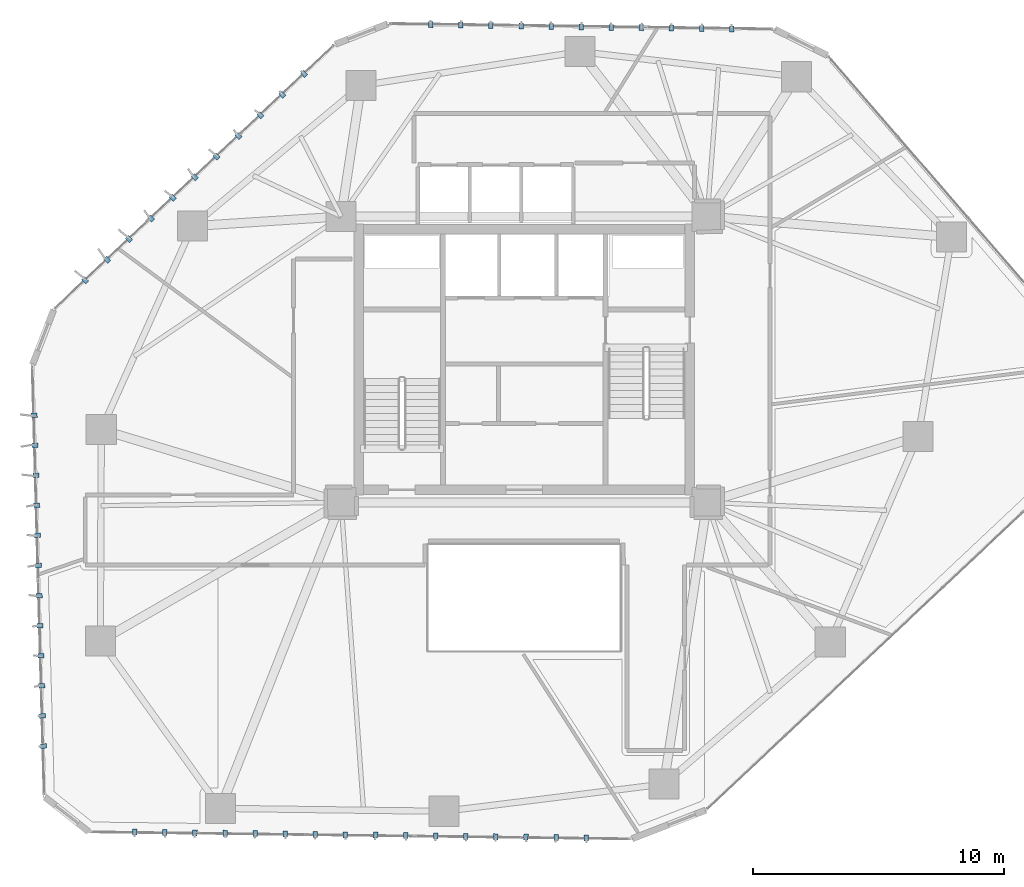
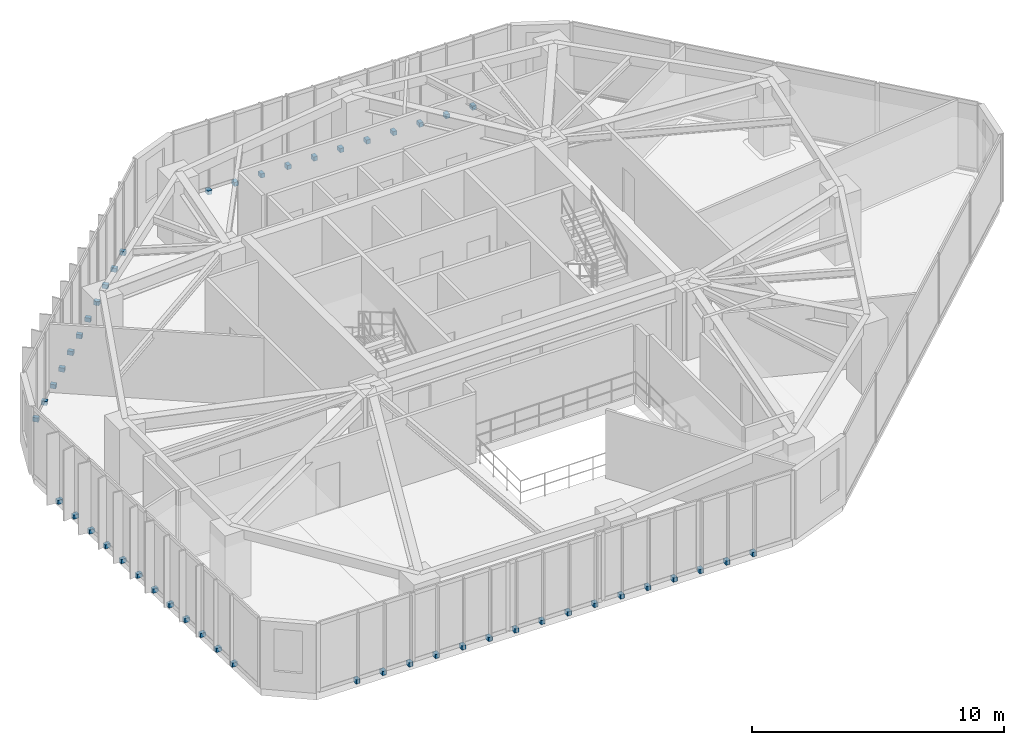
# One storey, part 20 of 22: 50 discrete accessories.
"""IFC4 building model written with IfcOpenShell, lengths in metres."""

from ifc_helpers import new_model, si_unit, direction, frame, origin, origin_2d, place, context, subcontext, project, spatial, rectangle, extrude, source, transform, mapped, material, type_object, type_shapes, element, save


model = new_model("IFC4")

# Units and contexts
model_context = context("Model", 3, precision=1e-05, world=origin(), true_north=direction((0.0, 1.0)))
body_context = subcontext(model_context, "Body", "Model", "MODEL_VIEW")
ifc_project = project(units=[si_unit("LENGTHUNIT", "METRE"), si_unit("AREAUNIT", "SQUARE_METRE"), si_unit("VOLUMEUNIT", "CUBIC_METRE"), si_unit("PLANEANGLEUNIT", "RADIAN"), si_unit("MASSUNIT", "GRAM", prefix="KILO")], contexts=[model_context])

# Site, building, storey
site_placement = place(None, origin())
site = spatial("IfcSite", under=ifc_project, at=site_placement, CompositionType="ELEMENT")
building_placement = place(site_placement, origin())
building = spatial("IfcBuilding", under=site, at=building_placement, Name="Talar Marvaseh", CompositionType="ELEMENT")
storey_placement = place(building_placement, frame((0.0, 0.0, 89.39990234375)))
storey = spatial("IfcBuildingStorey", under=building, at=storey_placement, Name="L22", CompositionType="ELEMENT", Elevation=89.39990234375)

# Discrete accessories
ifc_material = material(Name="Stainless Steel Grade 316", Category="steel")
discrete_accessory_type = type_object("IfcDiscreteAccessoryType", Name="Stainless Slab-Edge Fin Mounting Bracket", PredefinedType="BRACKET", material=ifc_material)
shared_shape = source(origin(), body_context, "Body", "SweptSolid", [
    extrude(rectangle(XDim=0.239990234375, YDim=0.179931640625, at=origin_2d()), origin(), (0.0, 0.0, 1.0), 0.199951171875),
])
type_shapes(discrete_accessory_type, [shared_shape])
for number, where, z_axis, x_axis, name in (
    (1, (6.831298828125, 15.784912109375, -0.1796875), (0.0, 0.0, 1.0), (-0.99961011504, -0.027921638724, 0.0), "L22 Vertical Fin Slab-Edge Bracket"),
    (2, (6.798095703125, 16.984375, -0.1796875), (0.0, 0.0, 1.0), (-0.99961011504, -0.027921638724, 0.0), "L22 Vertical Fin Slab-Edge Bracket"),
    (3, (6.7646484375, 18.183837890625, -0.1796875), (0.0, 0.0, 1.0), (-0.99961011504, -0.027921638724, 0.0), "L22 Vertical Fin Slab-Edge Bracket"),
    (4, (6.731201171875, 19.38330078125, -0.1796875), (0.0, 0.0, 1.0), (-0.99961011504, -0.027921638724, 0.0), "L22 Vertical Fin Slab-Edge Bracket"),
    (5, (6.69775390625, 20.5830078125, -0.1796875), (0.0, 0.0, 1.0), (-0.99961011504, -0.027921638724, 0.0), "L22 Vertical Fin Slab-Edge Bracket"),
    (6, (6.664306640625, 21.782470703125, -0.1796875), (0.0, 0.0, 1.0), (-0.99961011504, -0.027921638724, 0.0), "L22 Vertical Fin Slab-Edge Bracket"),
    (7, (6.630859375, 22.98193359375, -0.1796875), (0.0, 0.0, 1.0), (-0.99961011504, -0.027921638724, 0.0), "L22 Vertical Fin Slab-Edge Bracket"),
    (8, (6.597412109375, 24.181396484375, -0.1796875), (0.0, 0.0, 1.0), (-0.99961011504, -0.027921638724, 0.0), "L22 Vertical Fin Slab-Edge Bracket"),
    (9, (6.56396484375, 25.381103515625, -0.1796875), (0.0, 0.0, 1.0), (-0.99961011504, -0.027921638724, 0.0), "L22 Vertical Fin Slab-Edge Bracket"),
    (10, (6.530517578125, 26.58056640625, -0.1796875), (0.0, 0.0, 1.0), (-0.99961011504, -0.027921638724, 0.0), "L22 Vertical Fin Slab-Edge Bracket"),
    (11, (6.4970703125, 27.780029296875, -0.1796875), (0.0, 0.0, 1.0), (-0.99961011504, -0.027921638724, 0.0), "L22 Vertical Fin Slab-Edge Bracket"),
    (12, (6.463623046875, 28.979736328125, -0.1796875), (0.0, 0.0, 1.0), (-0.99961011504, -0.027921638724, 0.0), "L22 Vertical Fin Slab-Edge Bracket"),
    (13, (8.49755859375, 34.351318359375, -0.1796875), (0.0, 0.0, 1.0), (-0.686072351756, 0.727533317557, 0.0), "L22 Vertical Fin Slab-Edge Bracket"),
    (14, (9.37060546875, 35.174560546875, -0.1796875), (0.0, 0.0, 1.0), (-0.686072351756, 0.727533317557, 0.0), "L22 Vertical Fin Slab-Edge Bracket"),
    (15, (10.24365234375, 35.997802734375, -0.1796875), (0.0, 0.0, 1.0), (-0.686072351756, 0.727533317557, 0.0), "L22 Vertical Fin Slab-Edge Bracket"),
    (16, (11.11669921875, 36.821044921875, -0.1796875), (0.0, 0.0, 1.0), (-0.686072351756, 0.727533317557, 0.0), "L22 Vertical Fin Slab-Edge Bracket"),
    (17, (11.98974609375, 37.644287109375, -0.1796875), (0.0, 0.0, 1.0), (-0.686072351756, 0.727533317557, 0.0), "L22 Vertical Fin Slab-Edge Bracket"),
    (18, (12.86279296875, 38.467529296875, -0.1796875), (0.0, 0.0, 1.0), (-0.686072351756, 0.727533317557, 0.0), "L22 Vertical Fin Slab-Edge Bracket"),
    (19, (13.73583984375, 39.290771484375, -0.1796875), (0.0, 0.0, 1.0), (-0.686072351756, 0.727533317557, 0.0), "L22 Vertical Fin Slab-Edge Bracket"),
    (20, (14.60888671875, 40.114013671875, -0.1796875), (0.0, 0.0, 1.0), (-0.686072351756, 0.727533317557, 0.0), "L22 Vertical Fin Slab-Edge Bracket"),
    (21, (15.482177734375, 40.937255859375, -0.1796875), (0.0, 0.0, 1.0), (-0.686072351756, 0.727533317557, 0.0), "L22 Vertical Fin Slab-Edge Bracket"),
    (22, (16.35498046875, 41.760498046875, -0.1796875), (0.0, 0.0, 1.0), (-0.686072351756, 0.727533317557, 0.0), "L22 Vertical Fin Slab-Edge Bracket"),
    (23, (17.228271484375, 42.583740234375, -0.1796875), (0.0, 0.0, 1.0), (-0.686072351756, 0.727533317557, 0.0), "L22 Vertical Fin Slab-Edge Bracket"),
    (24, (22.27685546875, 44.547119140625, -0.1796875), (0.0, 0.0, 1.0), (0.014311211306, 0.999897589372, 0.0), "L22 Vertical Fin Slab-Edge Bracket"),
    (25, (23.476806640625, 44.530029296875, -0.1796875), (0.0, 0.0, 1.0), (0.014311211306, 0.999897589372, 0.0), "L22 Vertical Fin Slab-Edge Bracket"),
    (26, (24.676513671875, 44.5126953125, -0.1796875), (0.0, 0.0, 1.0), (0.014311211306, 0.999897589372, 0.0), "L22 Vertical Fin Slab-Edge Bracket"),
    (27, (25.87646484375, 44.49560546875, -0.1796875), (0.0, 0.0, 1.0), (0.014311211306, 0.999897589372, 0.0), "L22 Vertical Fin Slab-Edge Bracket"),
    (28, (27.076416015625, 44.478515625, -0.1796875), (0.0, 0.0, 1.0), (0.014311211306, 0.999897589372, 0.0), "L22 Vertical Fin Slab-Edge Bracket"),
    (29, (28.276123046875, 44.46142578125, -0.1796875), (0.0, 0.0, 1.0), (0.014311211306, 0.999897589372, 0.0), "L22 Vertical Fin Slab-Edge Bracket"),
    (30, (29.47607421875, 44.4443359375, -0.1796875), (0.0, 0.0, 1.0), (0.014311211306, 0.999897589372, 0.0), "L22 Vertical Fin Slab-Edge Bracket"),
    (31, (30.67578125, 44.42724609375, -0.1796875), (0.0, 0.0, 1.0), (0.014311211306, 0.999897589372, 0.0), "L22 Vertical Fin Slab-Edge Bracket"),
    (32, (31.875732421875, 44.41015625, -0.1796875), (0.0, 0.0, 1.0), (0.014311211306, 0.999897589372, 0.0), "L22 Vertical Fin Slab-Edge Bracket"),
    (33, (33.07568359375, 44.392822265625, -0.1796875), (0.0, 0.0, 1.0), (0.014311211306, 0.999897589372, 0.0), "L22 Vertical Fin Slab-Edge Bracket"),
    (34, (34.275634765625, 44.375732421875, -0.1796875), (0.0, 0.0, 1.0), (0.014311211306, 0.999897589372, 0.0), "L22 Vertical Fin Slab-Edge Bracket"),
    (35, (28.47265625, 12.1201171875, -0.1796875), (0.0, 0.0, 1.0), (-0.0129150774, -0.99991659691, 0.0), "L22 Vertical Fin Slab-Edge Bracket"),
    (36, (27.272705078125, 12.135498046875, -0.1796875), (0.0, 0.0, 1.0), (-0.0129150774, -0.99991659691, 0.0), "L22 Vertical Fin Slab-Edge Bracket"),
    (37, (26.07275390625, 12.151123046875, -0.1796875), (0.0, 0.0, 1.0), (-0.0129150774, -0.99991659691, 0.0), "L22 Vertical Fin Slab-Edge Bracket"),
    (38, (24.872802734375, 12.166748046875, -0.1796875), (0.0, 0.0, 1.0), (-0.0129150774, -0.99991659691, 0.0), "L22 Vertical Fin Slab-Edge Bracket"),
    (39, (23.673095703125, 12.18212890625, -0.1796875), (0.0, 0.0, 1.0), (-0.0129150774, -0.99991659691, 0.0), "L22 Vertical Fin Slab-Edge Bracket"),
    (40, (22.47314453125, 12.19775390625, -0.1796875), (0.0, 0.0, 1.0), (-0.0129150774, -0.99991659691, 0.0), "L22 Vertical Fin Slab-Edge Bracket"),
    (41, (21.273193359375, 12.213134765625, -0.1796875), (0.0, 0.0, 1.0), (-0.0129150774, -0.99991659691, 0.0), "L22 Vertical Fin Slab-Edge Bracket"),
    (42, (20.0732421875, 12.228759765625, -0.1796875), (0.0, 0.0, 1.0), (-0.0129150774, -0.99991659691, 0.0), "L22 Vertical Fin Slab-Edge Bracket"),
    (43, (18.873291015625, 12.244384765625, -0.1796875), (0.0, 0.0, 1.0), (-0.0129150774, -0.99991659691, 0.0), "L22 Vertical Fin Slab-Edge Bracket"),
    (44, (17.673583984375, 12.259765625, -0.1796875), (0.0, 0.0, 1.0), (-0.0129150774, -0.99991659691, 0.0), "L22 Vertical Fin Slab-Edge Bracket"),
    (45, (16.4736328125, 12.275390625, -0.1796875), (0.0, 0.0, 1.0), (-0.0129150774, -0.99991659691, 0.0), "L22 Vertical Fin Slab-Edge Bracket"),
    (46, (15.273681640625, 12.290771484375, -0.1796875), (0.0, 0.0, 1.0), (-0.0129150774, -0.99991659691, 0.0), "L22 Vertical Fin Slab-Edge Bracket"),
    (47, (14.07373046875, 12.306396484375, -0.1796875), (0.0, 0.0, 1.0), (-0.0129150774, -0.99991659691, 0.0), "L22 Vertical Fin Slab-Edge Bracket"),
    (48, (12.873779296875, 12.322021484375, -0.1796875), (0.0, 0.0, 1.0), (-0.0129150774, -0.99991659691, 0.0), "L22 Vertical Fin Slab-Edge Bracket"),
    (49, (11.674072265625, 12.33740234375, -0.1796875), (0.0, 0.0, 1.0), (-0.0129150774, -0.99991659691, 0.0), "L22 Vertical Fin Slab-Edge Bracket"),
    (50, (10.47412109375, 12.352783203125, -0.1796875), (0.0, 0.0, 1.0), (-0.0129150774, -0.99991659691, 0.0), "L22 Vertical Fin Slab-Edge Bracket"),
):
    element("IfcDiscreteAccessory", number, at=place(storey_placement, frame(where, z_axis=z_axis, x_axis=x_axis)), inside=storey, type_object=discrete_accessory_type, Name=name, PredefinedType="BRACKET", context=body_context, shape_type="MappedRepresentation", body=[
        mapped(shared_shape, transform((0.0, 0.0, 0.0), x_axis=(1.0, 0.0, 0.0), y_axis=(0.0, 1.0, 0.0), z_axis=(0.0, 0.0, 1.0), scale=1.0)),
    ])

save(model, "model.ifc")
